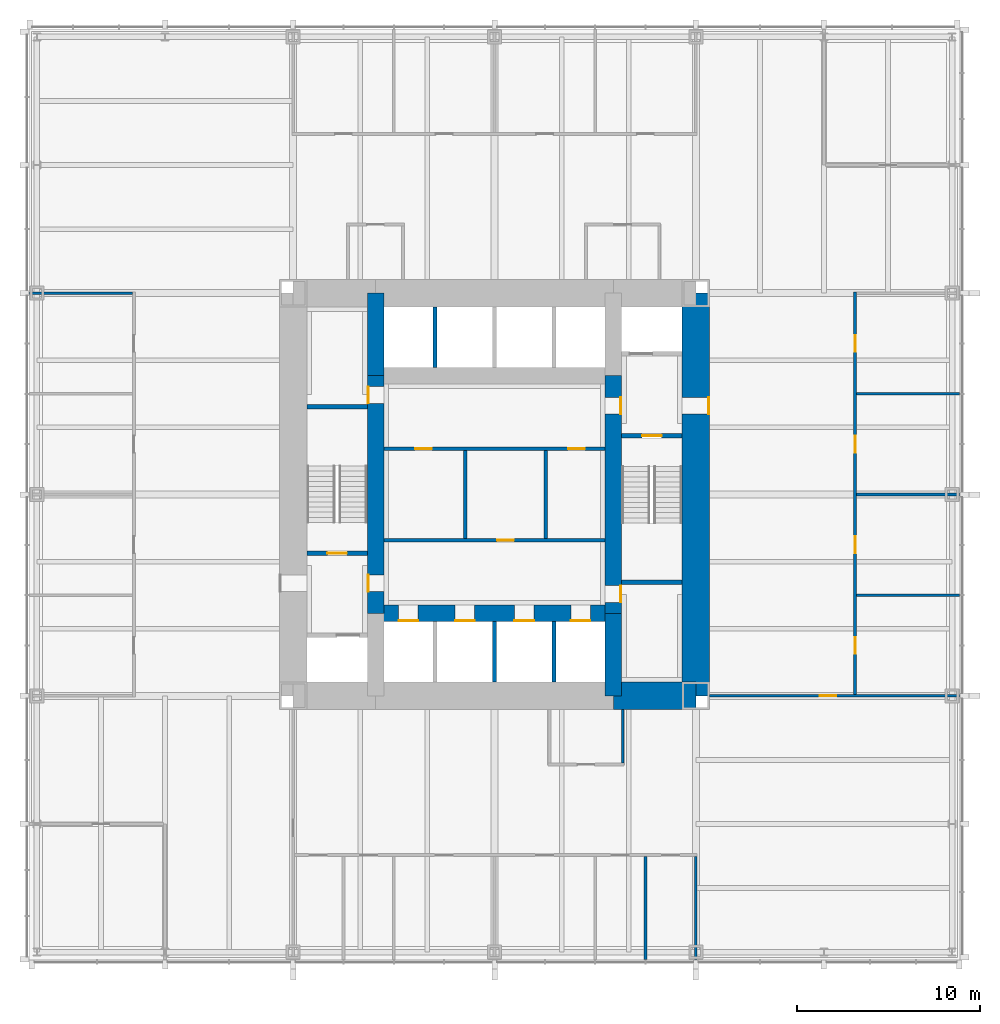
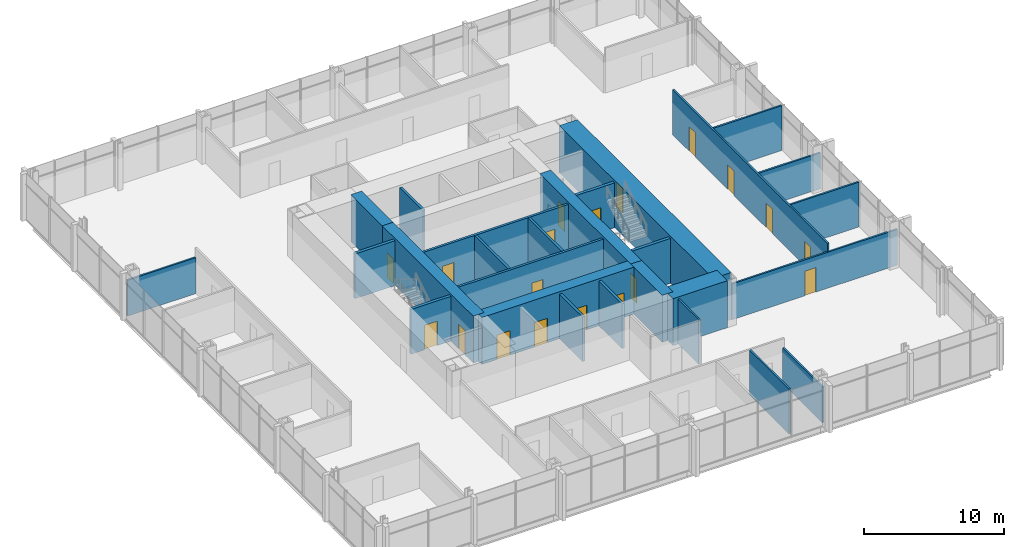
# One storey, part 10 of 12: 27 walls, 19 doors, 19 openings.
"""IFC4 building model written with IfcOpenShell, lengths in metres."""

from ifc_helpers import new_model, si_unit, direction, frame, frame_2d, origin, place, context, subcontext, project, spatial, rectangle, extrude, material, layer, layer_set, type_object, element, fill, save


model = new_model("IFC4")

# Units and contexts
model_context = context("Model", 3, precision=1e-05, world=origin(), true_north=direction((0.0, 1.0)))
body_context = subcontext(model_context, "Body", "Model", "MODEL_VIEW")
ifc_project = project(units=[si_unit("LENGTHUNIT", "METRE"), si_unit("AREAUNIT", "SQUARE_METRE"), si_unit("VOLUMEUNIT", "CUBIC_METRE"), si_unit("PLANEANGLEUNIT", "RADIAN"), si_unit("MASSUNIT", "GRAM", prefix="KILO")], contexts=[model_context])

# Site, building, storey
site_placement = place(None, origin())
site = spatial("IfcSite", under=ifc_project, at=site_placement, CompositionType="ELEMENT")
building_placement = place(site_placement, origin())
building = spatial("IfcBuilding", under=site, at=building_placement, Name="Trevanion Tower", CompositionType="ELEMENT")
storey_placement = place(building_placement, frame((0.0, 0.0, 73.39990234375)))
storey = spatial("IfcBuildingStorey", under=building, at=storey_placement, Name="L17", CompositionType="ELEMENT", Elevation=73.39990234375)

# Wall, opening, door
ifc_material_1 = material(Name="Concrete 10,000 psi", Category="concrete")
ifc_layer_1 = layer(ifc_material_1, 1.5)
ifc_layer_set_1 = layer_set([ifc_layer_1], Name="CW1 core wall 1500")
wall_type_1 = type_object("IfcWallType", Name="CW1 core wall 1500", PredefinedType="SHEAR", material=ifc_layer_set_1)
wall_1_placement = place(storey_placement, frame((11.0, -11.0, 0.0), z_axis=(0.0, 0.0, 1.0), x_axis=(0.0, 1.0, 0.0)))
wall_1 = element("IfcWall", 1, at=wall_1_placement, inside=storey, type_object=wall_type_1, Name="CW1 CE L17", PredefinedType="SHEAR", context=body_context, shape_type="SweptSolid", body=[
    extrude(rectangle(XDim=22.0, YDim=1.5, at=frame_2d((11.0, 0.0))), origin(), (0.0, 0.0, 1.0), 4.10009765625),
])
opening_1_placement = place(wall_1_placement, frame((15.392578125, 0.0, 0.0)))
opening_1 = element("IfcOpeningElement", 2, at=opening_1_placement, cuts=wall_1, Name="Opening 17-001", PredefinedType="OPENING", context=body_context, shape_type="SweptSolid", body=[
    extrude(rectangle(XDim=0.9150390625, YDim=2.134033203125, at=frame_2d((0.45751953125, 1.06689453125))), frame((0.0, 0.760009765625, 0.0), z_axis=(0.0, -1.0, 0.0), x_axis=(1.0, 0.0, 0.0)), (0.0, 0.0, 1.0), 1.52001953125),
])
ifc_material_2 = material(Name="Hollow metal, fire rated", Category="steel")
door_type_1 = type_object("IfcDoorType", Name="D3 fire lift lobby door", OperationType="SINGLE_SWING_RIGHT", PredefinedType="DOOR", material=ifc_material_2)
door_1_placement = place(opening_1_placement, origin())
door_1 = element("IfcDoor", 3, at=door_1_placement, inside=storey, type_object=door_type_1, Name="Door 17-001", OperationType="SINGLE_SWING_RIGHT", OverallHeight=2.134033203125, OverallWidth=0.9150390625, PredefinedType="DOOR", context=body_context, shape_type="SweptSolid", body=[
    extrude(rectangle(XDim=0.9150390625, YDim=2.134033203125, at=frame_2d((0.45751953125, 1.06689453125))), frame((0.0, -0.6748046875, 0.0), z_axis=(0.0, -1.0, 0.0), x_axis=(1.0, 0.0, 0.0)), (0.0, 0.0, 1.0), 0.050048828125),
])
fill(opening_1, door_1)

# Walls
wall_2_placement = place(storey_placement, frame((6.5, -11.0, 0.0), z_axis=(0.0, 0.0, 1.0), x_axis=(1.0, 0.0, 0.0)))
element("IfcWall", 4, at=wall_2_placement, inside=storey, type_object=wall_type_1, Name="CW1 CS3 L17", PredefinedType="SHEAR", context=body_context, shape_type="SweptSolid", body=[
    extrude(rectangle(XDim=4.5, YDim=1.5, at=frame_2d((2.25, 0.0))), origin(), (0.0, 0.0, 1.0), 4.10009765625),
])
ifc_material_3 = material(Name="Concrete 10,000 psi", Category="concrete")
ifc_layer_2 = layer(ifc_material_3, 0.89990234375)
ifc_layer_set_2 = layer_set([ifc_layer_2], Name="CW2 core wall 900")
wall_type_2 = type_object("IfcWallType", Name="CW2 core wall 900", PredefinedType="SHEAR", material=ifc_layer_set_2)
wall_3_placement = place(storey_placement, frame((6.5, -11.0, 0.0), z_axis=(0.0, 0.0, 1.0), x_axis=(0.0, 1.0, 0.0)))
element("IfcWall", 5, at=wall_3_placement, inside=storey, type_object=wall_type_2, Name="CW2 RE1 L17", PredefinedType="SHEAR", context=body_context, shape_type="SweptSolid", body=[
    extrude(rectangle(XDim=4.5, YDim=0.89990234375, at=frame_2d((2.25, 0.0))), origin(), (0.0, 0.0, 1.0), 4.10009765625),
])

# Wall, openings, doors
wall_4_placement = place(storey_placement, frame((6.5, -6.5, 0.0), z_axis=(0.0, 0.0, 1.0), x_axis=(0.0, 1.0, 0.0)))
wall_4 = element("IfcWall", 6, at=wall_4_placement, inside=storey, type_object=wall_type_2, Name="CW2 RE2 L17", PredefinedType="SHEAR", context=body_context, shape_type="SweptSolid", body=[
    extrude(rectangle(XDim=13.0, YDim=0.89990234375, at=frame_2d((6.5, 0.0))), origin(), (0.0, 0.0, 1.0), 4.10009765625),
])
opening_2_placement = place(wall_4_placement, frame((10.892578125, 0.0, 0.0)))
opening_2 = element("IfcOpeningElement", 7, at=opening_2_placement, cuts=wall_4, Name="Opening 17-003", PredefinedType="OPENING", context=body_context, shape_type="SweptSolid", body=[
    extrude(rectangle(XDim=0.9150390625, YDim=2.134033203125, at=frame_2d((0.45751953125, 1.06689453125))), frame((0.0, 0.4599609375, 0.0), z_axis=(0.0, -1.0, 0.0), x_axis=(1.0, 0.0, 0.0)), (0.0, 0.0, 1.0), 0.919921875),
])
opening_3_placement = place(wall_4_placement, frame((0.610107421875, 0.0, 0.0)))
opening_3 = element("IfcOpeningElement", 8, at=opening_3_placement, cuts=wall_4, Name="Opening 17-009", PredefinedType="OPENING", context=body_context, shape_type="SweptSolid", body=[
    extrude(rectangle(XDim=0.9150390625, YDim=2.134033203125, at=frame_2d((0.45751953125, 1.06689453125))), frame((0.0, 0.4599609375, 0.0), z_axis=(0.0, -1.0, 0.0), x_axis=(1.0, 0.0, 0.0)), (0.0, 0.0, 1.0), 0.919921875),
])
door_2_placement = place(opening_2_placement, origin())
door_2 = element("IfcDoor", 9, at=door_2_placement, inside=storey, type_object=door_type_1, Name="Door 17-003", OperationType="SINGLE_SWING_RIGHT", OverallHeight=2.134033203125, OverallWidth=0.9150390625, PredefinedType="DOOR", context=body_context, shape_type="SweptSolid", body=[
    extrude(rectangle(XDim=0.9150390625, YDim=2.134033203125, at=frame_2d((0.45751953125, 1.06689453125))), frame((0.0, -0.375, 0.0), z_axis=(0.0, -1.0, 0.0), x_axis=(1.0, 0.0, 0.0)), (0.0, 0.0, 1.0), 0.050048828125),
])
fill(opening_2, door_2)
ifc_material_4 = material(Name="Hollow metal, fire rated", Category="steel")
door_type_2 = type_object("IfcDoorType", Name="D5 service room door", OperationType="SINGLE_SWING_RIGHT", PredefinedType="DOOR", material=ifc_material_4)
door_3_placement = place(opening_3_placement, origin())
door_3 = element("IfcDoor", 10, at=door_3_placement, inside=storey, type_object=door_type_2, Name="Door 17-009", OperationType="SINGLE_SWING_RIGHT", OverallHeight=2.134033203125, OverallWidth=0.9150390625, PredefinedType="DOOR", context=body_context, shape_type="SweptSolid", body=[
    extrude(rectangle(XDim=0.9150390625, YDim=2.134033203125, at=frame_2d((0.45751953125, 1.06689453125))), frame((0.0, -0.375, 0.0), z_axis=(0.0, -1.0, 0.0), x_axis=(1.0, 0.0, 0.0)), (0.0, 0.0, 1.0), 0.050048828125),
])
fill(opening_3, door_3)

# Wall
wall_5_placement = place(storey_placement, frame((-6.5, 11.0, 0.0), z_axis=(0.0, 0.0, 1.0), x_axis=(0.0, -1.0, 0.0)))
element("IfcWall", 11, at=wall_5_placement, inside=storey, type_object=wall_type_2, Name="CW2 RW1 L17", PredefinedType="SHEAR", context=body_context, shape_type="SweptSolid", body=[
    extrude(rectangle(XDim=4.5, YDim=0.89990234375, at=frame_2d((2.25, 0.0))), origin(), (0.0, 0.0, 1.0), 4.10009765625),
])

# Wall, openings, doors
wall_6_placement = place(storey_placement, frame((-6.5, 6.5, 0.0), z_axis=(0.0, 0.0, 1.0), x_axis=(0.0, -1.0, 0.0)))
wall_6 = element("IfcWall", 12, at=wall_6_placement, inside=storey, type_object=wall_type_2, Name="CW2 RW2 L17", PredefinedType="SHEAR", context=body_context, shape_type="SweptSolid", body=[
    extrude(rectangle(XDim=13.0, YDim=0.89990234375, at=frame_2d((6.5, 0.0))), origin(), (0.0, 0.0, 1.0), 4.10009765625),
])
opening_4_placement = place(wall_6_placement, frame((10.892578125, 0.0, 0.0)))
opening_4 = element("IfcOpeningElement", 13, at=opening_4_placement, cuts=wall_6, Name="Opening 17-004", PredefinedType="OPENING", context=body_context, shape_type="SweptSolid", body=[
    extrude(rectangle(XDim=0.9150390625, YDim=2.134033203125, at=frame_2d((0.45751953125, 1.06689453125))), frame((0.0, 0.4599609375, 0.0), z_axis=(0.0, -1.0, 0.0), x_axis=(1.0, 0.0, 0.0)), (0.0, 0.0, 1.0), 0.919921875),
])
opening_5_placement = place(wall_6_placement, frame((0.610107421875, 0.0, 0.0)))
opening_5 = element("IfcOpeningElement", 14, at=opening_5_placement, cuts=wall_6, Name="Opening 17-010", PredefinedType="OPENING", context=body_context, shape_type="SweptSolid", body=[
    extrude(rectangle(XDim=0.9150390625, YDim=2.134033203125, at=frame_2d((0.45751953125, 1.06689453125))), frame((0.0, 0.4599609375, 0.0), z_axis=(0.0, -1.0, 0.0), x_axis=(1.0, 0.0, 0.0)), (0.0, 0.0, 1.0), 0.919921875),
])
door_4_placement = place(opening_4_placement, origin())
door_4 = element("IfcDoor", 15, at=door_4_placement, inside=storey, type_object=door_type_1, Name="Door 17-004", OperationType="SINGLE_SWING_RIGHT", OverallHeight=2.134033203125, OverallWidth=0.9150390625, PredefinedType="DOOR", context=body_context, shape_type="SweptSolid", body=[
    extrude(rectangle(XDim=0.9150390625, YDim=2.134033203125, at=frame_2d((0.45751953125, 1.06689453125))), frame((0.0, -0.375, 0.0), z_axis=(0.0, -1.0, 0.0), x_axis=(1.0, 0.0, 0.0)), (0.0, 0.0, 1.0), 0.050048828125),
])
fill(opening_4, door_4)
door_5_placement = place(opening_5_placement, origin())
door_5 = element("IfcDoor", 16, at=door_5_placement, inside=storey, type_object=door_type_2, Name="Door 17-010", OperationType="SINGLE_SWING_RIGHT", OverallHeight=2.134033203125, OverallWidth=0.9150390625, PredefinedType="DOOR", context=body_context, shape_type="SweptSolid", body=[
    extrude(rectangle(XDim=0.9150390625, YDim=2.134033203125, at=frame_2d((0.45751953125, 1.06689453125))), frame((0.0, -0.375, 0.0), z_axis=(0.0, -1.0, 0.0), x_axis=(1.0, 0.0, 0.0)), (0.0, 0.0, 1.0), 0.050048828125),
])
fill(opening_5, door_5)

wall_7_placement = place(storey_placement, frame((-6.5, -6.5, 0.0), z_axis=(0.0, 0.0, 1.0), x_axis=(1.0, 0.0, 0.0)))
wall_7 = element("IfcWall", 17, at=wall_7_placement, inside=storey, type_object=wall_type_2, Name="CW2 RS L17", PredefinedType="SHEAR", context=body_context, shape_type="SweptSolid", body=[
    extrude(rectangle(XDim=13.0, YDim=0.89990234375, at=frame_2d((6.5, 0.0))), origin(), (0.0, 0.0, 1.0), 4.10009765625),
])
opening_6_placement = place(wall_7_placement, frame((1.2666015625, 0.0, 0.0)))
opening_6 = element("IfcOpeningElement", 18, at=opening_6_placement, cuts=wall_7, Name="Opening 17-011", PredefinedType="OPENING", context=body_context, shape_type="SweptSolid", body=[
    extrude(rectangle(XDim=1.06689453125, YDim=2.134033203125, at=frame_2d((0.533447265625, 1.06689453125))), frame((0.0, 0.4599609375, 0.0), z_axis=(0.0, -1.0, 0.0), x_axis=(1.0, 0.0, 0.0)), (0.0, 0.0, 1.0), 0.919921875),
])
opening_7_placement = place(wall_7_placement, frame((4.341552734375, 0.0, 0.0)))
opening_7 = element("IfcOpeningElement", 19, at=opening_7_placement, cuts=wall_7, Name="Opening 17-012", PredefinedType="OPENING", context=body_context, shape_type="SweptSolid", body=[
    extrude(rectangle(XDim=1.06689453125, YDim=2.134033203125, at=frame_2d((0.533447265625, 1.06689453125))), frame((0.0, 0.4599609375, 0.0), z_axis=(0.0, -1.0, 0.0), x_axis=(1.0, 0.0, 0.0)), (0.0, 0.0, 1.0), 0.919921875),
])
opening_8_placement = place(wall_7_placement, frame((7.591552734375, 0.0, 0.0)))
opening_8 = element("IfcOpeningElement", 20, at=opening_8_placement, cuts=wall_7, Name="Opening 17-013", PredefinedType="OPENING", context=body_context, shape_type="SweptSolid", body=[
    extrude(rectangle(XDim=1.06689453125, YDim=2.134033203125, at=frame_2d((0.533447265625, 1.06689453125))), frame((0.0, 0.4599609375, 0.0), z_axis=(0.0, -1.0, 0.0), x_axis=(1.0, 0.0, 0.0)), (0.0, 0.0, 1.0), 0.919921875),
])
opening_9_placement = place(wall_7_placement, frame((10.66650390625, 0.0, 0.0)))
opening_9 = element("IfcOpeningElement", 21, at=opening_9_placement, cuts=wall_7, Name="Opening 17-014", PredefinedType="OPENING", context=body_context, shape_type="SweptSolid", body=[
    extrude(rectangle(XDim=1.06689453125, YDim=2.134033203125, at=frame_2d((0.533447265625, 1.06689453125))), frame((0.0, 0.4599609375, 0.0), z_axis=(0.0, -1.0, 0.0), x_axis=(1.0, 0.0, 0.0)), (0.0, 0.0, 1.0), 0.919921875),
])
ifc_material_5 = material(Name="Stainless steel, fire rated", Category="steel")
door_type_3 = type_object("IfcDoorType", Name="LD1 lift landing door", OperationType="SLIDING_TO_LEFT", PredefinedType="DOOR", material=ifc_material_5)
door_6_placement = place(opening_6_placement, origin())
door_6 = element("IfcDoor", 22, at=door_6_placement, inside=storey, type_object=door_type_3, Name="Door 17-011", OperationType="SLIDING_TO_LEFT", OverallHeight=2.134033203125, OverallWidth=1.06689453125, PredefinedType="DOOR", context=body_context, shape_type="SweptSolid", body=[
    extrude(rectangle(XDim=1.06689453125, YDim=2.134033203125, at=frame_2d((0.533447265625, 1.06689453125))), frame((0.0, -0.375, 0.0), z_axis=(0.0, -1.0, 0.0), x_axis=(1.0, 0.0, 0.0)), (0.0, 0.0, 1.0), 0.050048828125),
])
fill(opening_6, door_6)
door_7_placement = place(opening_7_placement, origin())
door_7 = element("IfcDoor", 23, at=door_7_placement, inside=storey, type_object=door_type_3, Name="Door 17-012", OperationType="SLIDING_TO_LEFT", OverallHeight=2.134033203125, OverallWidth=1.06689453125, PredefinedType="DOOR", context=body_context, shape_type="SweptSolid", body=[
    extrude(rectangle(XDim=1.06689453125, YDim=2.134033203125, at=frame_2d((0.533447265625, 1.06689453125))), frame((0.0, -0.375, 0.0), z_axis=(0.0, -1.0, 0.0), x_axis=(1.0, 0.0, 0.0)), (0.0, 0.0, 1.0), 0.050048828125),
])
fill(opening_7, door_7)
door_8_placement = place(opening_8_placement, origin())
door_8 = element("IfcDoor", 24, at=door_8_placement, inside=storey, type_object=door_type_3, Name="Door 17-013", OperationType="SLIDING_TO_LEFT", OverallHeight=2.134033203125, OverallWidth=1.06689453125, PredefinedType="DOOR", context=body_context, shape_type="SweptSolid", body=[
    extrude(rectangle(XDim=1.06689453125, YDim=2.134033203125, at=frame_2d((0.533447265625, 1.06689453125))), frame((0.0, -0.375, 0.0), z_axis=(0.0, -1.0, 0.0), x_axis=(1.0, 0.0, 0.0)), (0.0, 0.0, 1.0), 0.050048828125),
])
fill(opening_8, door_8)
door_9_placement = place(opening_9_placement, origin())
door_9 = element("IfcDoor", 25, at=door_9_placement, inside=storey, type_object=door_type_3, Name="Door 17-014", OperationType="SLIDING_TO_LEFT", OverallHeight=2.134033203125, OverallWidth=1.06689453125, PredefinedType="DOOR", context=body_context, shape_type="SweptSolid", body=[
    extrude(rectangle(XDim=1.06689453125, YDim=2.134033203125, at=frame_2d((0.533447265625, 1.06689453125))), frame((0.0, -0.375, 0.0), z_axis=(0.0, -1.0, 0.0), x_axis=(1.0, 0.0, 0.0)), (0.0, 0.0, 1.0), 0.050048828125),
])
fill(opening_9, door_9)

# Wall, opening, door
ifc_material_6 = material(Name="Gypsum board on steel studs", Category="steel")
ifc_layer_3 = layer(ifc_material_6, 0.14990234375)
ifc_layer_set_3 = layer_set([ifc_layer_3], Name="PT1 partition 150")
wall_type_3 = type_object("IfcWallType", Name="PT1 partition 150", PredefinedType="PARTITIONING", material=ifc_layer_set_3)
wall_8_placement = place(storey_placement, frame((11.75, -11.0, 0.0), z_axis=(0.0, 0.0, 1.0), x_axis=(1.0, 0.0, 0.0)))
wall_8 = element("IfcWall", 26, at=wall_8_placement, inside=storey, type_object=wall_type_3, Name="PT1 L17 ZW3", PredefinedType="PARTITIONING", context=body_context, shape_type="SweptSolid", body=[
    extrude(rectangle(XDim=13.6650390625, YDim=0.14990234375, at=frame_2d((6.83251953125, 0.0))), origin(), (0.0, 0.0, 1.0), 3.13037109375),
])
opening_10_placement = place(wall_8_placement, frame((6.017578125, 0.0, 0.0)))
opening_10 = element("IfcOpeningElement", 27, at=opening_10_placement, cuts=wall_8, Name="Opening 17-019", PredefinedType="OPENING", context=body_context, shape_type="SweptSolid", body=[
    extrude(rectangle(XDim=0.9150390625, YDim=2.134033203125, at=frame_2d((0.45751953125, 1.06689453125))), frame((0.0, 0.0849609375, 0.0), z_axis=(0.0, -1.0, 0.0), x_axis=(1.0, 0.0, 0.0)), (0.0, 0.0, 1.0), 0.169921875),
])
ifc_material_7 = material(Name="Timber veneer, solid core", Category="wood")
door_type_4 = type_object("IfcDoorType", Name="D1 office and meeting room door", OperationType="SINGLE_SWING_LEFT", PredefinedType="DOOR", material=ifc_material_7)
door_10_placement = place(opening_10_placement, origin())
door_10 = element("IfcDoor", 28, at=door_10_placement, inside=storey, type_object=door_type_4, Name="Door 17-019", OperationType="SINGLE_SWING_LEFT", OverallHeight=2.134033203125, OverallWidth=0.9150390625, PredefinedType="DOOR", context=body_context, shape_type="SweptSolid", body=[
    extrude(rectangle(XDim=0.9150390625, YDim=2.134033203125, at=frame_2d((0.45751953125, 1.06689453125))), frame((0.0, 0.02490234375, 0.0), z_axis=(0.0, -1.0, 0.0), x_axis=(1.0, 0.0, 0.0)), (0.0, 0.0, 1.0), 0.050048828125),
])
fill(opening_10, door_10)

# Walls
wall_9_placement = place(storey_placement, frame((8.25, -19.77490234375, 0.0), z_axis=(0.0, 0.0, 1.0), x_axis=(0.0, -1.0, 0.0)))
element("IfcWall", 29, at=wall_9_placement, inside=storey, type_object=wall_type_3, Name="PT1 L17 FC3S7", PredefinedType="PARTITIONING", context=body_context, shape_type="SweptSolid", body=[
    extrude(rectangle(XDim=5.64013671875, YDim=0.14990234375, at=frame_2d((2.820068359375, 0.0))), origin(), (0.0, 0.0, 1.0), 3.91015625),
])
wall_10_placement = place(storey_placement, frame((11.0, -19.77490234375, 0.0), z_axis=(0.0, 0.0, 1.0), x_axis=(0.0, -1.0, 0.0)))
element("IfcWall", 30, at=wall_10_placement, inside=storey, type_object=wall_type_3, Name="PT1 L17 FC3S8", PredefinedType="PARTITIONING", context=body_context, shape_type="SweptSolid", body=[
    extrude(rectangle(XDim=5.64013671875, YDim=0.14990234375, at=frame_2d((2.820068359375, 0.0))), origin(), (0.0, 0.0, 1.0), 3.13037109375),
])

# Wall, openings, doors
wall_11_placement = place(storey_placement, frame((19.699951171875, -11.074951171875, 0.0), z_axis=(0.0, 0.0, 1.0), x_axis=(0.0, 1.0, 0.0)))
wall_11 = element("IfcWall", 31, at=wall_11_placement, inside=storey, type_object=wall_type_3, Name="PT1 L17 FC0F", PredefinedType="PARTITIONING", context=body_context, shape_type="SweptSolid", body=[
    extrude(rectangle(XDim=22.14990234375, YDim=0.14990234375, at=frame_2d((11.074951171875, 0.0))), origin(), (0.0, 0.0, 1.0), 3.91015625),
])
opening_11_placement = place(wall_11_placement, frame((2.367431640625, 0.0, 0.0)))
opening_11 = element("IfcOpeningElement", 32, at=opening_11_placement, cuts=wall_11, Name="Opening 17-032", PredefinedType="OPENING", context=body_context, shape_type="SweptSolid", body=[
    extrude(rectangle(XDim=0.9150390625, YDim=2.134033203125, at=frame_2d((0.45751953125, 1.06689453125))), frame((0.0, 0.0849609375, 0.0), z_axis=(0.0, -1.0, 0.0), x_axis=(1.0, 0.0, 0.0)), (0.0, 0.0, 1.0), 0.169921875),
])
opening_12_placement = place(wall_11_placement, frame((7.867431640625, 0.0, 0.0)))
opening_12 = element("IfcOpeningElement", 33, at=opening_12_placement, cuts=wall_11, Name="Opening 17-033", PredefinedType="OPENING", context=body_context, shape_type="SweptSolid", body=[
    extrude(rectangle(XDim=0.9150390625, YDim=2.134033203125, at=frame_2d((0.45751953125, 1.06689453125))), frame((0.0, 0.0849609375, 0.0), z_axis=(0.0, -1.0, 0.0), x_axis=(1.0, 0.0, 0.0)), (0.0, 0.0, 1.0), 0.169921875),
])
opening_13_placement = place(wall_11_placement, frame((13.367431640625, 0.0, 0.0)))
opening_13 = element("IfcOpeningElement", 34, at=opening_13_placement, cuts=wall_11, Name="Opening 17-034", PredefinedType="OPENING", context=body_context, shape_type="SweptSolid", body=[
    extrude(rectangle(XDim=0.9150390625, YDim=2.134033203125, at=frame_2d((0.45751953125, 1.06689453125))), frame((0.0, 0.0849609375, 0.0), z_axis=(0.0, -1.0, 0.0), x_axis=(1.0, 0.0, 0.0)), (0.0, 0.0, 1.0), 0.169921875),
])
opening_14_placement = place(wall_11_placement, frame((18.867431640625, 0.0, 0.0)))
opening_14 = element("IfcOpeningElement", 35, at=opening_14_placement, cuts=wall_11, Name="Opening 17-035", PredefinedType="OPENING", context=body_context, shape_type="SweptSolid", body=[
    extrude(rectangle(XDim=0.9150390625, YDim=2.134033203125, at=frame_2d((0.45751953125, 1.06689453125))), frame((0.0, 0.0849609375, 0.0), z_axis=(0.0, -1.0, 0.0), x_axis=(1.0, 0.0, 0.0)), (0.0, 0.0, 1.0), 0.169921875),
])
door_11_placement = place(opening_11_placement, origin())
door_11 = element("IfcDoor", 36, at=door_11_placement, inside=storey, type_object=door_type_4, Name="Door 17-032", OperationType="SINGLE_SWING_LEFT", OverallHeight=2.134033203125, OverallWidth=0.9150390625, PredefinedType="DOOR", context=body_context, shape_type="SweptSolid", body=[
    extrude(rectangle(XDim=0.9150390625, YDim=2.134033203125, at=frame_2d((0.45751953125, 1.06689453125))), frame((0.0, 0.02490234375, 0.0), z_axis=(0.0, -1.0, 0.0), x_axis=(1.0, 0.0, 0.0)), (0.0, 0.0, 1.0), 0.050048828125),
])
fill(opening_11, door_11)
door_12_placement = place(opening_12_placement, origin())
door_12 = element("IfcDoor", 37, at=door_12_placement, inside=storey, type_object=door_type_4, Name="Door 17-033", OperationType="SINGLE_SWING_LEFT", OverallHeight=2.134033203125, OverallWidth=0.9150390625, PredefinedType="DOOR", context=body_context, shape_type="SweptSolid", body=[
    extrude(rectangle(XDim=0.9150390625, YDim=2.134033203125, at=frame_2d((0.45751953125, 1.06689453125))), frame((0.0, 0.02490234375, 0.0), z_axis=(0.0, -1.0, 0.0), x_axis=(1.0, 0.0, 0.0)), (0.0, 0.0, 1.0), 0.050048828125),
])
fill(opening_12, door_12)
door_13_placement = place(opening_13_placement, origin())
door_13 = element("IfcDoor", 38, at=door_13_placement, inside=storey, type_object=door_type_4, Name="Door 17-034", OperationType="SINGLE_SWING_LEFT", OverallHeight=2.134033203125, OverallWidth=0.9150390625, PredefinedType="DOOR", context=body_context, shape_type="SweptSolid", body=[
    extrude(rectangle(XDim=0.9150390625, YDim=2.134033203125, at=frame_2d((0.45751953125, 1.06689453125))), frame((0.0, 0.02490234375, 0.0), z_axis=(0.0, -1.0, 0.0), x_axis=(1.0, 0.0, 0.0)), (0.0, 0.0, 1.0), 0.050048828125),
])
fill(opening_13, door_13)
door_14_placement = place(opening_14_placement, origin())
door_14 = element("IfcDoor", 39, at=door_14_placement, inside=storey, type_object=door_type_4, Name="Door 17-035", OperationType="SINGLE_SWING_LEFT", OverallHeight=2.134033203125, OverallWidth=0.9150390625, PredefinedType="DOOR", context=body_context, shape_type="SweptSolid", body=[
    extrude(rectangle(XDim=0.9150390625, YDim=2.134033203125, at=frame_2d((0.45751953125, 1.06689453125))), frame((0.0, 0.02490234375, 0.0), z_axis=(0.0, -1.0, 0.0), x_axis=(1.0, 0.0, 0.0)), (0.0, 0.0, 1.0), 0.050048828125),
])
fill(opening_14, door_14)

# Walls
wall_12_placement = place(storey_placement, frame((19.77490234375, -5.5, 0.0), z_axis=(0.0, 0.0, 1.0), x_axis=(1.0, 0.0, 0.0)))
element("IfcWall", 40, at=wall_12_placement, inside=storey, type_object=wall_type_3, Name="PT1 L17 FC0S2", PredefinedType="PARTITIONING", context=body_context, shape_type="SweptSolid", body=[
    extrude(rectangle(XDim=5.64013671875, YDim=0.14990234375, at=frame_2d((2.820068359375, 0.0))), origin(), (0.0, 0.0, 1.0), 3.91015625),
])
wall_13_placement = place(storey_placement, frame((19.77490234375, 0.0, 0.0), z_axis=(0.0, 0.0, 1.0), x_axis=(1.0, 0.0, 0.0)))
element("IfcWall", 41, at=wall_13_placement, inside=storey, type_object=wall_type_3, Name="PT1 L17 FC0S4", PredefinedType="PARTITIONING", context=body_context, shape_type="SweptSolid", body=[
    extrude(rectangle(XDim=5.64013671875, YDim=0.14990234375, at=frame_2d((2.820068359375, 0.0))), origin(), (0.0, 0.0, 1.0), 3.13037109375),
])
wall_14_placement = place(storey_placement, frame((19.77490234375, 5.5, 0.0), z_axis=(0.0, 0.0, 1.0), x_axis=(1.0, 0.0, 0.0)))
element("IfcWall", 42, at=wall_14_placement, inside=storey, type_object=wall_type_3, Name="PT1 L17 FC0S6", PredefinedType="PARTITIONING", context=body_context, shape_type="SweptSolid", body=[
    extrude(rectangle(XDim=5.64013671875, YDim=0.14990234375, at=frame_2d((2.820068359375, 0.0))), origin(), (0.0, 0.0, 1.0), 3.91015625),
])
wall_15_placement = place(storey_placement, frame((-19.77490234375, 11.0, 0.0), z_axis=(0.0, 0.0, 1.0), x_axis=(-1.0, 0.0, 0.0)))
element("IfcWall", 43, at=wall_15_placement, inside=storey, type_object=wall_type_3, Name="PT1 L17 FC2S0", PredefinedType="PARTITIONING", context=body_context, shape_type="SweptSolid", body=[
    extrude(rectangle(XDim=5.64013671875, YDim=0.14990234375, at=frame_2d((2.820068359375, 0.0))), origin(), (0.0, 0.0, 1.0), 3.13037109375),
])
wall_16_placement = place(storey_placement, frame((7.0, -14.675048828125, 0.0), z_axis=(0.0, 0.0, 1.0), x_axis=(0.0, 1.0, 0.0)))
element("IfcWall", 44, at=wall_16_placement, inside=storey, type_object=wall_type_3, Name="PT1 L17 IN30S1", PredefinedType="PARTITIONING", context=body_context, shape_type="SweptSolid", body=[
    extrude(rectangle(XDim=2.925048828125, YDim=0.14990234375, at=frame_2d((1.46240234375, 0.0))), origin(), (0.0, 0.0, 1.0), 3.91015625),
])
ifc_material_8 = material(Name="Concrete masonry, grouted", Category="masonry")
ifc_layer_4 = layer(ifc_material_8, 0.199951171875)
ifc_layer_set_4 = layer_set([ifc_layer_4], Name="PT2 partition 200")
wall_type_4 = type_object("IfcWallType", Name="PT2 partition 200", PredefinedType="PARTITIONING", material=ifc_layer_set_4)
for number, where, z_axis, x_axis, name in (
    (45, (-1.60009765625, -2.39990234375, 0.0), (0.0, 0.0, 1.0), (0.0, 1.0, 0.0), "PT2 L17 TP1"),
    (46, (2.800048828125, -2.39990234375, 0.0), (0.0, 0.0, 1.0), (0.0, 1.0, 0.0), "PT2 L17 TP2"),
):
    element("IfcWall", number, at=place(storey_placement, frame(where, z_axis=z_axis, x_axis=x_axis)), inside=storey, type_object=wall_type_4, Name=name, PredefinedType="PARTITIONING", context=body_context, shape_type="SweptSolid", body=[
        extrude(rectangle(XDim=4.7998046875, YDim=0.199951171875, at=frame_2d((2.39990234375, 0.0))), origin(), (0.0, 0.0, 1.0), 3.91015625),
    ])

# Wall, openings, doors
ifc_material_9 = material(Name="Concrete masonry, grouted", Category="masonry")
ifc_layer_5 = layer(ifc_material_9, 0.199951171875)
ifc_layer_set_5 = layer_set([ifc_layer_5], Name="PT2 partition 200 1 HR")
wall_type_5 = type_object("IfcWallType", Name="PT2 partition 200 1 HR", PredefinedType="PARTITIONING", material=ifc_layer_set_5)
wall_17_placement = place(storey_placement, frame((-6.050048828125, 2.5, 0.0), z_axis=(0.0, 0.0, 1.0), x_axis=(1.0, 0.0, 0.0)))
wall_17 = element("IfcWall", 47, at=wall_17_placement, inside=storey, type_object=wall_type_5, Name="PT2 L17 CP1", PredefinedType="PARTITIONING", context=body_context, shape_type="SweptSolid", body=[
    extrude(rectangle(XDim=12.10009765625, YDim=0.199951171875, at=frame_2d((6.050048828125, 0.0))), origin(), (0.0, 0.0, 1.0), 3.91015625),
])
opening_15_placement = place(wall_17_placement, frame((1.717529296875, 0.0, 0.0)))
opening_15 = element("IfcOpeningElement", 48, at=opening_15_placement, cuts=wall_17, Name="Opening 17-015", PredefinedType="OPENING", context=body_context, shape_type="SweptSolid", body=[
    extrude(rectangle(XDim=0.9150390625, YDim=2.134033203125, at=frame_2d((0.45751953125, 1.06689453125))), frame((0.0, 0.10986328125, 0.0), z_axis=(0.0, -1.0, 0.0), x_axis=(1.0, 0.0, 0.0)), (0.0, 0.0, 1.0), 0.219970703125),
])
opening_16_placement = place(wall_17_placement, frame((10.0673828125, 0.0, 0.0)))
opening_16 = element("IfcOpeningElement", 49, at=opening_16_placement, cuts=wall_17, Name="Opening 17-017", PredefinedType="OPENING", context=body_context, shape_type="SweptSolid", body=[
    extrude(rectangle(XDim=0.9150390625, YDim=2.134033203125, at=frame_2d((0.45751953125, 1.06689453125))), frame((0.0, 0.10986328125, 0.0), z_axis=(0.0, -1.0, 0.0), x_axis=(1.0, 0.0, 0.0)), (0.0, 0.0, 1.0), 0.219970703125),
])
ifc_material_10 = material(Name="Plastic laminate on fire-rated core", Category="wood")
door_type_5 = type_object("IfcDoorType", Name="D12 toilet door in a one hour wall", OperationType="SINGLE_SWING_LEFT", PredefinedType="DOOR", material=ifc_material_10)
door_15_placement = place(opening_15_placement, origin())
door_15 = element("IfcDoor", 50, at=door_15_placement, inside=storey, type_object=door_type_5, Name="Door 17-015", OperationType="SINGLE_SWING_LEFT", OverallHeight=2.134033203125, OverallWidth=0.9150390625, PredefinedType="DOOR", context=body_context, shape_type="SweptSolid", body=[
    extrude(rectangle(XDim=0.9150390625, YDim=2.134033203125, at=frame_2d((0.45751953125, 1.06689453125))), frame((0.0, 0.02490234375, 0.0), z_axis=(0.0, -1.0, 0.0), x_axis=(1.0, 0.0, 0.0)), (0.0, 0.0, 1.0), 0.050048828125),
])
fill(opening_15, door_15)
door_16_placement = place(opening_16_placement, origin())
door_16 = element("IfcDoor", 51, at=door_16_placement, inside=storey, type_object=door_type_5, Name="Door 17-017", OperationType="SINGLE_SWING_LEFT", OverallHeight=2.134033203125, OverallWidth=0.9150390625, PredefinedType="DOOR", context=body_context, shape_type="SweptSolid", body=[
    extrude(rectangle(XDim=0.9150390625, YDim=2.134033203125, at=frame_2d((0.45751953125, 1.06689453125))), frame((0.0, 0.02490234375, 0.0), z_axis=(0.0, -1.0, 0.0), x_axis=(1.0, 0.0, 0.0)), (0.0, 0.0, 1.0), 0.050048828125),
])
fill(opening_16, door_16)

# Wall, opening, door
wall_18_placement = place(storey_placement, frame((6.050048828125, -2.5, 0.0), z_axis=(0.0, 0.0, 1.0), x_axis=(-1.0, 0.0, 0.0)))
wall_18 = element("IfcWall", 52, at=wall_18_placement, inside=storey, type_object=wall_type_5, Name="PT2 L17 CP2", PredefinedType="PARTITIONING", context=body_context, shape_type="SweptSolid", body=[
    extrude(rectangle(XDim=12.10009765625, YDim=0.199951171875, at=frame_2d((6.050048828125, 0.0))), origin(), (0.0, 0.0, 1.0), 3.91015625),
])
opening_17_placement = place(wall_18_placement, frame((4.992431640625, 0.0, 0.0)))
opening_17 = element("IfcOpeningElement", 53, at=opening_17_placement, cuts=wall_18, Name="Opening 17-016", PredefinedType="OPENING", context=body_context, shape_type="SweptSolid", body=[
    extrude(rectangle(XDim=0.9150390625, YDim=2.134033203125, at=frame_2d((0.45751953125, 1.06689453125))), frame((0.0, 0.10986328125, 0.0), z_axis=(0.0, -1.0, 0.0), x_axis=(1.0, 0.0, 0.0)), (0.0, 0.0, 1.0), 0.219970703125),
])
door_17_placement = place(opening_17_placement, origin())
door_17 = element("IfcDoor", 54, at=door_17_placement, inside=storey, type_object=door_type_5, Name="Door 17-016", OperationType="SINGLE_SWING_LEFT", OverallHeight=2.134033203125, OverallWidth=0.9150390625, PredefinedType="DOOR", context=body_context, shape_type="SweptSolid", body=[
    extrude(rectangle(XDim=0.9150390625, YDim=2.134033203125, at=frame_2d((0.45751953125, 1.06689453125))), frame((0.0, 0.02490234375, 0.0), z_axis=(0.0, -1.0, 0.0), x_axis=(1.0, 0.0, 0.0)), (0.0, 0.0, 1.0), 0.050048828125),
])
fill(opening_17, door_17)

# Walls
ifc_material_11 = material(Name="Concrete masonry, grouted", Category="masonry")
ifc_layer_6 = layer(ifc_material_11, 0.199951171875)
ifc_layer_set_6 = layer_set([ifc_layer_6], Name="PT2 partition 200 2 HR")
wall_type_6 = type_object("IfcWallType", Name="PT2 partition 200 2 HR", PredefinedType="PARTITIONING", material=ifc_layer_set_6)
for number, where, z_axis, x_axis, name in (
    (55, (-3.25, 6.949951171875, 0.0), (0.0, 0.0, 1.0), (0.0, 1.0, 0.0), "PT2 L17 NS0"),
    (56, (0.0, -10.25, 0.0), (0.0, 0.0, 1.0), (0.0, 1.0, 0.0), "PT2 L17 SS1"),
    (57, (3.25, -10.25, 0.0), (0.0, 0.0, 1.0), (0.0, 1.0, 0.0), "PT2 L17 SS2"),
):
    element("IfcWall", number, at=place(storey_placement, frame(where, z_axis=z_axis, x_axis=x_axis)), inside=storey, type_object=wall_type_6, Name=name, PredefinedType="PARTITIONING", context=body_context, shape_type="SweptSolid", body=[
        extrude(rectangle(XDim=3.300048828125, YDim=0.199951171875, at=frame_2d((1.64990234375, 0.0))), origin(), (0.0, 0.0, 1.0), 3.91015625),
    ])
ifc_material_12 = material(Name="Reinforced masonry, fully grouted", Category="masonry")
ifc_layer_7 = layer(ifc_material_12, 0.25)
ifc_layer_set_7 = layer_set([ifc_layer_7], Name="SW1 stair shaft wall 250")
wall_type_7 = type_object("IfcWallType", Name="SW1 stair shaft wall 250", PredefinedType="SOLIDWALL", material=ifc_layer_set_7)
for number, where, z_axis, x_axis, name in (
    (58, (6.949951171875, -4.800048828125, 0.0), (0.0, 0.0, 1.0), (1.0, 0.0, 0.0), "SW1 L17 EP1"),
    (59, (-6.949951171875, 4.800048828125, 0.0), (0.0, 0.0, 1.0), (-1.0, 0.0, 0.0), "SW1 L17 WP1"),
):
    element("IfcWall", number, at=place(storey_placement, frame(where, z_axis=z_axis, x_axis=x_axis)), inside=storey, type_object=wall_type_7, Name=name, PredefinedType="SOLIDWALL", context=body_context, shape_type="SweptSolid", body=[
        extrude(rectangle(XDim=3.300048828125, YDim=0.25, at=frame_2d((1.64990234375, 0.0))), origin(), (0.0, 0.0, 1.0), 3.91015625),
    ])

# Wall, opening, door
wall_19_placement = place(storey_placement, frame((6.949951171875, 3.199951171875, 0.0), z_axis=(0.0, 0.0, 1.0), x_axis=(1.0, 0.0, 0.0)))
wall_19 = element("IfcWall", 60, at=wall_19_placement, inside=storey, type_object=wall_type_7, Name="SW1 L17 EP2", PredefinedType="SOLIDWALL", context=body_context, shape_type="SweptSolid", body=[
    extrude(rectangle(XDim=3.300048828125, YDim=0.25, at=frame_2d((1.64990234375, 0.0))), origin(), (0.0, 0.0, 1.0), 3.91015625),
])
opening_18_placement = place(wall_19_placement, frame((1.116455078125, 0.0, 0.0)))
opening_18 = element("IfcOpeningElement", 61, at=opening_18_placement, cuts=wall_19, Name="Opening 17-005", PredefinedType="OPENING", context=body_context, shape_type="SweptSolid", body=[
    extrude(rectangle(XDim=1.06689453125, YDim=2.134033203125, at=frame_2d((0.533447265625, 1.06689453125))), frame((0.0, 0.135009765625, 0.0), z_axis=(0.0, -1.0, 0.0), x_axis=(1.0, 0.0, 0.0)), (0.0, 0.0, 1.0), 0.27001953125),
])
ifc_material_13 = material(Name="Hollow metal, fire rated", Category="steel")
door_type_6 = type_object("IfcDoorType", Name="D2 exit stair door", OperationType="SINGLE_SWING_LEFT", PredefinedType="DOOR", material=ifc_material_13)
door_18_placement = place(opening_18_placement, origin())
door_18 = element("IfcDoor", 62, at=door_18_placement, inside=storey, type_object=door_type_6, Name="Door 17-005", OperationType="SINGLE_SWING_LEFT", OverallHeight=2.134033203125, OverallWidth=1.06689453125, PredefinedType="DOOR", context=body_context, shape_type="SweptSolid", body=[
    extrude(rectangle(XDim=1.06689453125, YDim=2.134033203125, at=frame_2d((0.533447265625, 1.06689453125))), frame((0.0, 0.02490234375, 0.0), z_axis=(0.0, -1.0, 0.0), x_axis=(1.0, 0.0, 0.0)), (0.0, 0.0, 1.0), 0.050048828125),
])
fill(opening_18, door_18)

wall_20_placement = place(storey_placement, frame((-6.949951171875, -3.199951171875, 0.0), z_axis=(0.0, 0.0, 1.0), x_axis=(-1.0, 0.0, 0.0)))
wall_20 = element("IfcWall", 63, at=wall_20_placement, inside=storey, type_object=wall_type_7, Name="SW1 L17 WP2", PredefinedType="SOLIDWALL", context=body_context, shape_type="SweptSolid", body=[
    extrude(rectangle(XDim=3.300048828125, YDim=0.25, at=frame_2d((1.64990234375, 0.0))), origin(), (0.0, 0.0, 1.0), 3.91015625),
])
opening_19_placement = place(wall_20_placement, frame((1.116455078125, 0.0, 0.0)))
opening_19 = element("IfcOpeningElement", 64, at=opening_19_placement, cuts=wall_20, Name="Opening 17-006", PredefinedType="OPENING", context=body_context, shape_type="SweptSolid", body=[
    extrude(rectangle(XDim=1.06689453125, YDim=2.134033203125, at=frame_2d((0.533447265625, 1.06689453125))), frame((0.0, 0.135009765625, 0.0), z_axis=(0.0, -1.0, 0.0), x_axis=(1.0, 0.0, 0.0)), (0.0, 0.0, 1.0), 0.27001953125),
])
door_19_placement = place(opening_19_placement, origin())
door_19 = element("IfcDoor", 65, at=door_19_placement, inside=storey, type_object=door_type_6, Name="Door 17-006", OperationType="SINGLE_SWING_LEFT", OverallHeight=2.134033203125, OverallWidth=1.06689453125, PredefinedType="DOOR", context=body_context, shape_type="SweptSolid", body=[
    extrude(rectangle(XDim=1.06689453125, YDim=2.134033203125, at=frame_2d((0.533447265625, 1.06689453125))), frame((0.0, 0.02490234375, 0.0), z_axis=(0.0, -1.0, 0.0), x_axis=(1.0, 0.0, 0.0)), (0.0, 0.0, 1.0), 0.050048828125),
])
fill(opening_19, door_19)

save(model, "model.ifc")
